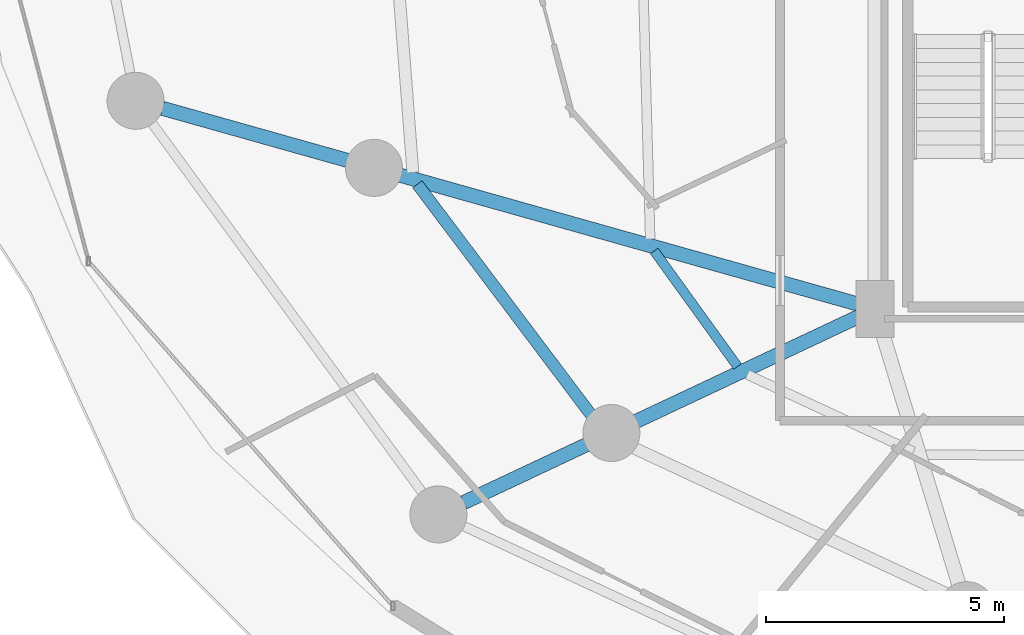
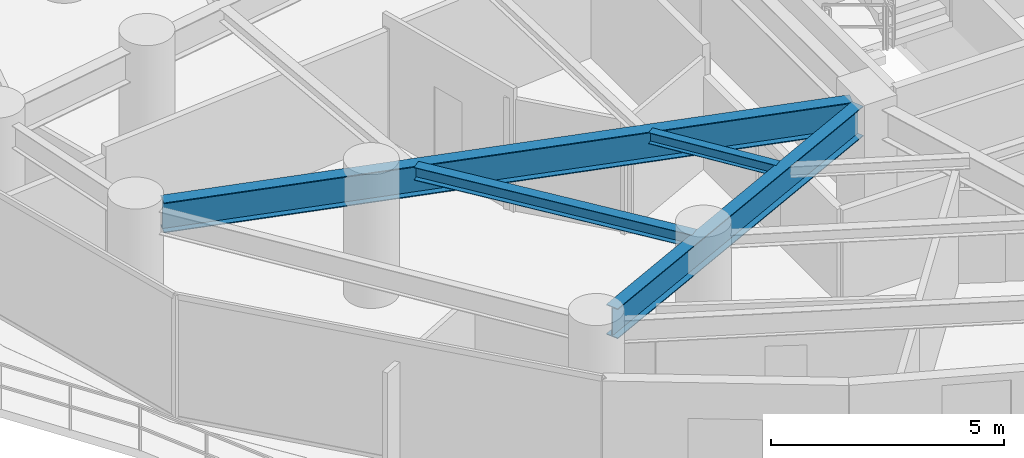
# One storey, part 4 of 33: 4 beams.
"""IFC4 building model written with IfcOpenShell, lengths in metres."""

from ifc_helpers import new_model, si_unit, direction, frame, origin, origin_2d, place, context, subcontext, project, spatial, i_section, extrude, material, material_profile, profile_set, type_object, element, save


model = new_model("IFC4")

# Units and contexts
model_context = context("Model", 3, precision=1e-05, world=origin(), true_north=direction((0.0, 1.0)))
body_context = subcontext(model_context, "Body", "Model", "MODEL_VIEW")
ifc_project = project(units=[si_unit("LENGTHUNIT", "METRE"), si_unit("AREAUNIT", "SQUARE_METRE"), si_unit("VOLUMEUNIT", "CUBIC_METRE"), si_unit("PLANEANGLEUNIT", "RADIAN"), si_unit("MASSUNIT", "GRAM", prefix="KILO")], contexts=[model_context])

# Site, building, storey
site_placement = place(None, origin())
site = spatial("IfcSite", under=ifc_project, at=site_placement, CompositionType="ELEMENT")
building_placement = place(site_placement, origin())
building = spatial("IfcBuilding", under=site, at=building_placement, Name="Vorneva Point Tower", CompositionType="ELEMENT")
storey_placement = place(building_placement, frame((0.0, 0.0, 59.0)))
storey = spatial("IfcBuildingStorey", under=building, at=storey_placement, Name="L15", CompositionType="ELEMENT", Elevation=59.0)

# Beams
ifc_material = material(Name="Steel S355", Category="steel")
ifc_material_profile_1 = material_profile(ifc_material, i_section(OverallWidth=0.300048828125, OverallDepth=0.7880859375, WebThickness=0.014404296875, FlangeThickness=0.02197265625, at=origin_2d()), Name="80Sh1")
ifc_profile_set_1 = profile_set([ifc_material_profile_1], Name="Steel S355")
beam_type_1 = type_object("IfcBeamType", Name="BM-GRD-80Sh1", PredefinedType="USERDEFINED", material=ifc_profile_set_1)
beam_1_placement = place(storey_placement, frame((12.254150390625, 20.67041015625, 2.845947265625), z_axis=(0.962601076089, -0.270922808772, 0.0), x_axis=(0.270922808772, 0.962601076089, 0.0)))
element("IfcBeam", 1, at=beam_1_placement, inside=storey, type_object=beam_type_1, Name="L15 Radial Primary Girder 10", ObjectType="GIRDER", PredefinedType="USERDEFINED", context=body_context, shape_type="SweptSolid", body=[
    extrude(i_section(OverallWidth=0.300048828125, OverallDepth=0.7880859375, WebThickness=0.014404296875, FlangeThickness=0.02197265625, at=origin_2d()), origin(), (0.0, 0.0, 1.0), 15.23828125),
])
beam_2_placement = place(storey_placement, frame((18.59326171875, 12.37451171875, 2.845947265625), z_axis=(0.904749139553, 0.425944825627, 0.0), x_axis=(-0.425944825627, 0.904749139553, 0.0)))
element("IfcBeam", 2, at=beam_2_placement, inside=storey, type_object=beam_type_1, Name="L15 Radial Primary Girder 11", ObjectType="GIRDER", PredefinedType="USERDEFINED", context=body_context, shape_type="SweptSolid", body=[
    extrude(i_section(OverallWidth=0.300048828125, OverallDepth=0.7880859375, WebThickness=0.014404296875, FlangeThickness=0.02197265625, at=origin_2d()), origin(), (0.0, 0.0, 1.0), 9.22802734375),
])
ifc_material_profile_2 = material_profile(ifc_material, i_section(OverallWidth=0.199951171875, OverallDepth=0.291015625, WebThickness=0.008056640625, FlangeThickness=0.010986328125, at=origin_2d()), Name="30Sh1")
ifc_profile_set_2 = profile_set([ifc_material_profile_2], Name="Steel S355")
beam_type_2 = type_object("IfcBeamType", Name="BM-SEC-30Sh1", PredefinedType="BEAM", material=ifc_profile_set_2)
beam_3_placement = place(storey_placement, frame((22.602783203125, 17.668701171875, 3.094482421875), z_axis=(0.585160442386, -0.810917539992, 0.0), x_axis=(0.810917539992, 0.585160442386, 0.0)))
element("IfcBeam", 3, at=beam_3_placement, inside=storey, type_object=beam_type_2, Name="L15 Secondary Floor Beam 2.10", PredefinedType="BEAM", context=body_context, shape_type="SweptSolid", body=[
    extrude(i_section(OverallWidth=0.199951171875, OverallDepth=0.291015625, WebThickness=0.008056640625, FlangeThickness=0.010986328125, at=origin_2d()), origin(), (0.0, 0.0, 1.0), 2.997802734375),
])
ifc_material_profile_3 = material_profile(ifc_material, i_section(OverallWidth=0.2490234375, OverallDepth=0.333984375, WebThickness=0.008056640625, FlangeThickness=0.010986328125, at=origin_2d()), Name="35Sh1")
ifc_profile_set_3 = profile_set([ifc_material_profile_3], Name="Steel S355")
beam_type_3 = type_object("IfcBeamType", Name="BM-SEC-35Sh1", PredefinedType="BEAM", material=ifc_profile_set_3)
beam_4_placement = place(storey_placement, frame((17.617919921875, 19.073974609375, 3.072998046875), z_axis=(0.601717161412, -0.798709244758, 0.0), x_axis=(0.798709244758, 0.601717161412, 0.0)))
element("IfcBeam", 4, at=beam_4_placement, inside=storey, type_object=beam_type_3, Name="L15 Secondary Floor Beam 1.10", PredefinedType="BEAM", context=body_context, shape_type="SweptSolid", body=[
    extrude(i_section(OverallWidth=0.2490234375, OverallDepth=0.333984375, WebThickness=0.008056640625, FlangeThickness=0.010986328125, at=origin_2d()), origin(), (0.0, 0.0, 1.0), 6.47802734375),
])

save(model, "model.ifc")
